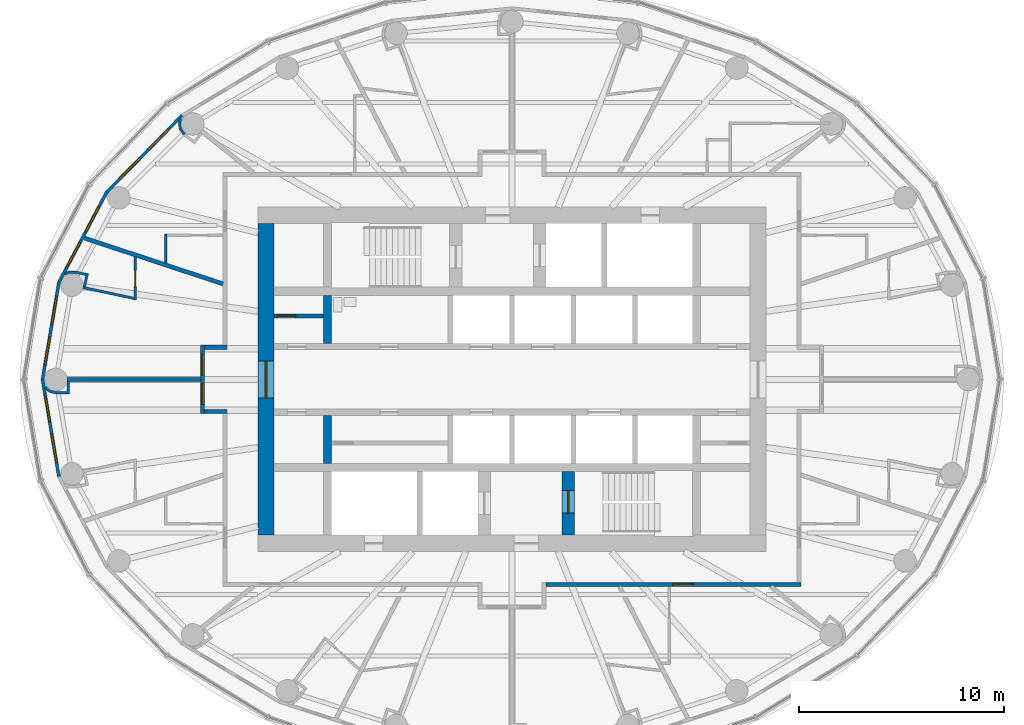
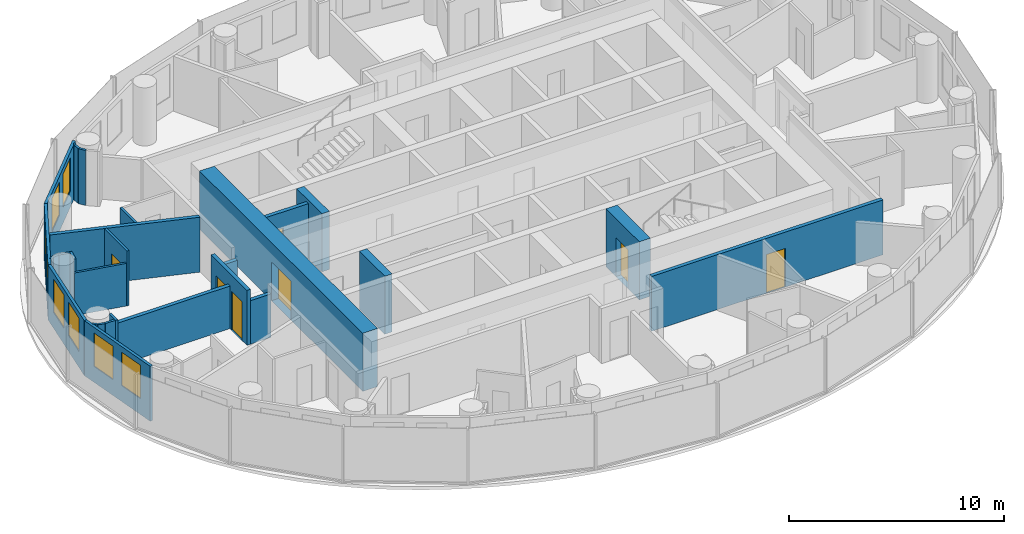
# One storey, part 8 of 16: 29 walls, 8 windows, 7 doors, 15 openings.
"""IFC4 building model written with IfcOpenShell, lengths in metres."""

from ifc_helpers import new_model, si_unit, direction, frame, frame_2d, origin, place, context, subcontext, project, spatial, rectangle, extrude, material, layer, layer_set, type_object, element, fill, save


model = new_model("IFC4")

# Units and contexts
model_context = context("Model", 3, precision=1e-05, world=origin(), true_north=direction((0.0, 1.0)))
body_context = subcontext(model_context, "Body", "Model", "MODEL_VIEW")
ifc_project = project(units=[si_unit("LENGTHUNIT", "METRE"), si_unit("AREAUNIT", "SQUARE_METRE"), si_unit("VOLUMEUNIT", "CUBIC_METRE"), si_unit("PLANEANGLEUNIT", "RADIAN"), si_unit("MASSUNIT", "GRAM", prefix="KILO")], contexts=[model_context])

# Site, building, storey
site_placement = place(None, origin())
site = spatial("IfcSite", under=ifc_project, at=site_placement, CompositionType="ELEMENT")
building_placement = place(site_placement, origin())
building = spatial("IfcBuilding", under=site, at=building_placement, Name="Hankou Lantern Tower", CompositionType="ELEMENT")
storey_placement = place(building_placement, frame((0.0, 0.0, 150.0)))
storey = spatial("IfcBuildingStorey", under=building, at=storey_placement, Name="L39", CompositionType="ELEMENT", Elevation=150.0)

# Wall, opening, door
ifc_material_1 = material(Name="Concrete C60", Category="concrete")
ifc_layer_1 = layer(ifc_material_1, 0.800048828125)
ifc_layer_set_1 = layer_set([ifc_layer_1], Name="Concrete C60")
wall_type_1 = type_object("IfcWallType", Name="CW2 CORE WALL 800", PredefinedType="SHEAR", material=ifc_layer_set_1)
wall_1_placement = place(storey_placement, frame((-12.0, 7.60009765625, 0.0), z_axis=(0.0, 0.0, 1.0), x_axis=(0.0, -1.0, 0.0)))
wall_1 = element("IfcWall", 1, at=wall_1_placement, inside=storey, type_object=wall_type_1, Name="Core wall west L39", PredefinedType="SHEAR", context=body_context, shape_type="SweptSolid", body=[
    extrude(rectangle(XDim=15.2001953125, YDim=0.800048828125, at=frame_2d((7.60009765625, 0.0))), origin(), (0.0, 0.0, 1.0), 3.300048828125),
])
opening_1_placement = place(wall_1_placement, frame((6.699951171875, 0.0, 0.0)))
opening_1 = element("IfcOpeningElement", 2, at=opening_1_placement, cuts=wall_1, Name="Opening D6", PredefinedType="OPENING", context=body_context, shape_type="SweptSolid", body=[
    extrude(rectangle(XDim=1.800048828125, YDim=2.199951171875, at=frame_2d((0.89990234375, 1.10009765625))), frame((0.0, 0.409912109375, 0.0), z_axis=(0.0, -1.0, 0.0), x_axis=(1.0, 0.0, 0.0)), (0.0, 0.0, 1.0), 0.820068359375),
])
ifc_material_2 = material(Name="Steel door leaf", Category="steel")
door_type_1 = type_object("IfcDoorType", Name="D6 LIFT LOBBY DOOR 1800X2200", OperationType="DOUBLE_DOOR_DOUBLE_SWING", PredefinedType="DOOR", material=ifc_material_2)
door_1_placement = place(opening_1_placement, origin())
door_1 = element("IfcDoor", 3, at=door_1_placement, inside=storey, type_object=door_type_1, Name="Lift lobby west door", OperationType="DOUBLE_DOOR_DOUBLE_SWING", OverallHeight=2.199951171875, OverallWidth=1.800048828125, PredefinedType="DOOR", context=body_context, shape_type="SweptSolid", body=[
    extrude(rectangle(XDim=1.800048828125, YDim=2.199951171875, at=frame_2d((0.89990234375, 1.10009765625))), frame((0.0, 0.02490234375, 0.0), z_axis=(0.0, -1.0, 0.0), x_axis=(1.0, 0.0, 0.0)), (0.0, 0.0, 1.0), 0.050048828125),
])
fill(opening_1, door_1)

# Walls
ifc_material_3 = material(Name="Concrete C60", Category="concrete")
ifc_layer_2 = layer(ifc_material_3, 0.39990234375)
ifc_layer_set_2 = layer_set([ifc_layer_2], Name="Concrete C60")
wall_type_2 = type_object("IfcWallType", Name="CW4 CORE CROSS WALL 400", PredefinedType="SHEAR", material=ifc_layer_set_2)
for number, where, z_axis, x_axis, name in (
    (4, (-9.0, 1.75, 0.0), (0.0, 0.0, 1.0), (0.0, 1.0, 0.0), "Core strip wall L39"),
    (5, (-9.0, -4.10009765625, 0.0), (0.0, 0.0, 1.0), (0.0, 1.0, 0.0), "Core strip wall L39"),
):
    element("IfcWall", number, at=place(storey_placement, frame(where, z_axis=z_axis, x_axis=x_axis)), inside=storey, type_object=wall_type_2, Name=name, PredefinedType="SHEAR", context=body_context, shape_type="SweptSolid", body=[
        extrude(rectangle(XDim=2.35009765625, YDim=0.39990234375, at=frame_2d((1.175048828125, 0.0))), origin(), (0.0, 0.0, 1.0), 3.300048828125),
    ])

# Wall, opening, door
ifc_material_4 = material(Name="Concrete C60", Category="concrete")
ifc_layer_3 = layer(ifc_material_4, 0.60009765625)
ifc_layer_set_3 = layer_set([ifc_layer_3], Name="Concrete C60")
wall_type_3 = type_object("IfcWallType", Name="CW6 STAIR AND SHAFT WALL 600", PredefinedType="SHEAR", material=ifc_layer_set_3)
wall_2_placement = place(storey_placement, frame((2.75, -7.60009765625, 0.0), z_axis=(0.0, 0.0, 1.0), x_axis=(0.0, 1.0, 0.0)))
wall_2 = element("IfcWall", 6, at=wall_2_placement, inside=storey, type_object=wall_type_3, Name="Stair wall L39", PredefinedType="SHEAR", context=body_context, shape_type="SweptSolid", body=[
    extrude(rectangle(XDim=3.10009765625, YDim=0.60009765625, at=frame_2d((1.550048828125, 0.0))), origin(), (0.0, 0.0, 1.0), 3.300048828125),
])
opening_2_placement = place(wall_2_placement, frame((1.074951171875, 0.0, 0.0)))
opening_2 = element("IfcOpeningElement", 7, at=opening_2_placement, cuts=wall_2, Name="Opening D4", PredefinedType="OPENING", context=body_context, shape_type="SweptSolid", body=[
    extrude(rectangle(XDim=1.10009765625, YDim=2.199951171875, at=frame_2d((0.550048828125, 1.10009765625))), frame((0.0, 0.31005859375, 0.0), z_axis=(0.0, -1.0, 0.0), x_axis=(1.0, 0.0, 0.0)), (0.0, 0.0, 1.0), 0.6201171875),
])
ifc_material_5 = material(Name="Steel door leaf", Category="steel")
door_type_2 = type_object("IfcDoorType", Name="D4 STAIR DOOR 1100X2200", OperationType="SINGLE_SWING_LEFT", PredefinedType="DOOR", material=ifc_material_5)
door_2_placement = place(opening_2_placement, origin())
door_2 = element("IfcDoor", 8, at=door_2_placement, inside=storey, type_object=door_type_2, Name="Stair B door", OperationType="SINGLE_SWING_RIGHT", OverallHeight=2.199951171875, OverallWidth=1.10009765625, PredefinedType="DOOR", context=body_context, shape_type="SweptSolid", body=[
    extrude(rectangle(XDim=1.10009765625, YDim=2.199951171875, at=frame_2d((0.550048828125, 1.10009765625))), frame((0.0, 0.02490234375, 0.0), z_axis=(0.0, -1.0, 0.0), x_axis=(1.0, 0.0, 0.0)), (0.0, 0.0, 1.0), 0.050048828125),
])
fill(opening_2, door_2)

# Wall, openings, windows
ifc_material_6 = material(Name="Aluminium spandrel panel on steel studs", Category="steel")
ifc_layer_4 = layer(ifc_material_6, 0.14990234375)
ifc_layer_set_4 = layer_set([ifc_layer_4], Name="Aluminium spandrel panel on steel studs")
wall_type_4 = type_object("IfcWallType", Name="EW1 INNER SKIN WALL 150", PredefinedType="ELEMENTEDWALL", material=ifc_layer_set_4)
wall_3_placement = place(storey_placement, frame((-16.0947265625, 12.875732421875, 0.0), z_axis=(0.0, 0.0, 1.0), x_axis=(-0.700727467776, -0.71342905457, 0.0)))
wall_3 = element("IfcWall", 9, at=wall_3_placement, inside=storey, type_object=wall_type_4, Name="Inner skin R10-R11 L39", PredefinedType="ELEMENTEDWALL", context=body_context, shape_type="SweptSolid", body=[
    extrude(rectangle(XDim=5.247314453125, YDim=0.14990234375, at=frame_2d((2.62353515625, 0.0))), origin(), (0.0, 0.0, 1.0), 3.1201171875),
])
opening_3_placement = place(wall_3_placement, frame((0.923583984375, 0.0, 0.89990234375)))
opening_3 = element("IfcOpeningElement", 10, at=opening_3_placement, cuts=wall_3, Name="Opening W3", PredefinedType="OPENING", context=body_context, shape_type="SweptSolid", body=[
    extrude(rectangle(XDim=1.39990234375, YDim=1.89990234375, at=frame_2d((0.699951171875, 0.949951171875))), frame((0.0, 0.0849609375, 0.0), z_axis=(0.0, -1.0, 0.0), x_axis=(1.0, 0.0, 0.0)), (0.0, 0.0, 1.0), 0.169921875),
])
opening_4_placement = place(wall_3_placement, frame((2.923583984375, 0.0, 0.89990234375)))
opening_4 = element("IfcOpeningElement", 11, at=opening_4_placement, cuts=wall_3, Name="Opening W3", PredefinedType="OPENING", context=body_context, shape_type="SweptSolid", body=[
    extrude(rectangle(XDim=1.39990234375, YDim=1.89990234375, at=frame_2d((0.699951171875, 0.949951171875))), frame((0.0, 0.0849609375, 0.0), z_axis=(0.0, -1.0, 0.0), x_axis=(1.0, 0.0, 0.0)), (0.0, 0.0, 1.0), 0.169921875),
])
ifc_material_7 = material(Name="Aluminium framed double glazed window", Category="aluminium")
window_type = type_object("IfcWindowType", Name="W3 GUEST ROOM WINDOW 1400X1900", PartitioningType="DOUBLE_PANEL_VERTICAL", PredefinedType="WINDOW", material=ifc_material_7)
window_1_placement = place(opening_3_placement, origin())
window_1 = element("IfcWindow", 12, at=window_1_placement, inside=storey, type_object=window_type, Name="Window R10.1 L39", OverallHeight=1.89990234375, OverallWidth=1.39990234375, PartitioningType="SINGLE_PANEL", PredefinedType="WINDOW", context=body_context, shape_type="SweptSolid", body=[
    extrude(rectangle(XDim=1.39990234375, YDim=1.89990234375, at=frame_2d((0.699951171875, 0.949951171875))), frame((0.0, 0.030029296875, 0.0), z_axis=(0.0, -1.0, 0.0), x_axis=(1.0, 0.0, 0.0)), (0.0, 0.0, 1.0), 0.06005859375),
])
fill(opening_3, window_1)
window_2_placement = place(opening_4_placement, origin())
window_2 = element("IfcWindow", 13, at=window_2_placement, inside=storey, type_object=window_type, Name="Window R10.2 L39", OverallHeight=1.89990234375, OverallWidth=1.39990234375, PartitioningType="SINGLE_PANEL", PredefinedType="WINDOW", context=body_context, shape_type="SweptSolid", body=[
    extrude(rectangle(XDim=1.39990234375, YDim=1.89990234375, at=frame_2d((0.699951171875, 0.949951171875))), frame((0.0, 0.030029296875, 0.0), z_axis=(0.0, -1.0, 0.0), x_axis=(1.0, 0.0, 0.0)), (0.0, 0.0, 1.0), 0.06005859375),
])
fill(opening_4, window_2)

wall_4_placement = place(storey_placement, frame((-19.771728515625, 9.132080078125, 0.0), z_axis=(0.0, 0.0, 1.0), x_axis=(-0.468428906714, -0.883501193748, 0.0)))
wall_4 = element("IfcWall", 14, at=wall_4_placement, inside=storey, type_object=wall_type_4, Name="Inner skin R11-R12 L39", PredefinedType="ELEMENTEDWALL", context=body_context, shape_type="SweptSolid", body=[
    extrude(rectangle(XDim=4.9736328125, YDim=0.14990234375, at=frame_2d((2.48681640625, 0.0))), origin(), (0.0, 0.0, 1.0), 3.1201171875),
])
opening_5_placement = place(wall_4_placement, frame((0.786865234375, 0.0, 0.89990234375)))
opening_5 = element("IfcOpeningElement", 15, at=opening_5_placement, cuts=wall_4, Name="Opening W3", PredefinedType="OPENING", context=body_context, shape_type="SweptSolid", body=[
    extrude(rectangle(XDim=1.39990234375, YDim=1.89990234375, at=frame_2d((0.699951171875, 0.949951171875))), frame((0.0, 0.0849609375, 0.0), z_axis=(0.0, -1.0, 0.0), x_axis=(1.0, 0.0, 0.0)), (0.0, 0.0, 1.0), 0.169921875),
])
opening_6_placement = place(wall_4_placement, frame((2.786865234375, 0.0, 0.89990234375)))
opening_6 = element("IfcOpeningElement", 16, at=opening_6_placement, cuts=wall_4, Name="Opening W3", PredefinedType="OPENING", context=body_context, shape_type="SweptSolid", body=[
    extrude(rectangle(XDim=1.39990234375, YDim=1.89990234375, at=frame_2d((0.699951171875, 0.949951171875))), frame((0.0, 0.0849609375, 0.0), z_axis=(0.0, -1.0, 0.0), x_axis=(1.0, 0.0, 0.0)), (0.0, 0.0, 1.0), 0.169921875),
])
window_3_placement = place(opening_5_placement, origin())
window_3 = element("IfcWindow", 17, at=window_3_placement, inside=storey, type_object=window_type, Name="Window R11.1 L39", OverallHeight=1.89990234375, OverallWidth=1.39990234375, PartitioningType="SINGLE_PANEL", PredefinedType="WINDOW", context=body_context, shape_type="SweptSolid", body=[
    extrude(rectangle(XDim=1.39990234375, YDim=1.89990234375, at=frame_2d((0.699951171875, 0.949951171875))), frame((0.0, 0.030029296875, 0.0), z_axis=(0.0, -1.0, 0.0), x_axis=(1.0, 0.0, 0.0)), (0.0, 0.0, 1.0), 0.06005859375),
])
fill(opening_5, window_3)
window_4_placement = place(opening_6_placement, origin())
window_4 = element("IfcWindow", 18, at=window_4_placement, inside=storey, type_object=window_type, Name="Window R11.2 L39", OverallHeight=1.89990234375, OverallWidth=1.39990234375, PartitioningType="SINGLE_PANEL", PredefinedType="WINDOW", context=body_context, shape_type="SweptSolid", body=[
    extrude(rectangle(XDim=1.39990234375, YDim=1.89990234375, at=frame_2d((0.699951171875, 0.949951171875))), frame((0.0, 0.030029296875, 0.0), z_axis=(0.0, -1.0, 0.0), x_axis=(1.0, 0.0, 0.0)), (0.0, 0.0, 1.0), 0.06005859375),
])
fill(opening_6, window_4)

wall_5_placement = place(storey_placement, frame((-22.1015625, 4.73779296875, 0.0), z_axis=(0.0, 0.0, 1.0), x_axis=(-0.166162111254, -0.986098449843, 0.0)))
wall_5 = element("IfcWall", 19, at=wall_5_placement, inside=storey, type_object=wall_type_4, Name="Inner skin R12-R13 L39", PredefinedType="ELEMENTEDWALL", context=body_context, shape_type="SweptSolid", body=[
    extrude(rectangle(XDim=4.8046875, YDim=0.14990234375, at=frame_2d((2.40234375, 0.0))), origin(), (0.0, 0.0, 1.0), 3.1201171875),
])
opening_7_placement = place(wall_5_placement, frame((0.7021484375, 0.0, 0.89990234375)))
opening_7 = element("IfcOpeningElement", 20, at=opening_7_placement, cuts=wall_5, Name="Opening W3", PredefinedType="OPENING", context=body_context, shape_type="SweptSolid", body=[
    extrude(rectangle(XDim=1.39990234375, YDim=1.89990234375, at=frame_2d((0.699951171875, 0.949951171875))), frame((0.0, 0.0849609375, 0.0), z_axis=(0.0, -1.0, 0.0), x_axis=(1.0, 0.0, 0.0)), (0.0, 0.0, 1.0), 0.169921875),
])
opening_8_placement = place(wall_5_placement, frame((2.7021484375, 0.0, 0.89990234375)))
opening_8 = element("IfcOpeningElement", 21, at=opening_8_placement, cuts=wall_5, Name="Opening W3", PredefinedType="OPENING", context=body_context, shape_type="SweptSolid", body=[
    extrude(rectangle(XDim=1.39990234375, YDim=1.89990234375, at=frame_2d((0.699951171875, 0.949951171875))), frame((0.0, 0.0849609375, 0.0), z_axis=(0.0, -1.0, 0.0), x_axis=(1.0, 0.0, 0.0)), (0.0, 0.0, 1.0), 0.169921875),
])
window_5_placement = place(opening_7_placement, origin())
window_5 = element("IfcWindow", 22, at=window_5_placement, inside=storey, type_object=window_type, Name="Window R12.1 L39", OverallHeight=1.89990234375, OverallWidth=1.39990234375, PartitioningType="SINGLE_PANEL", PredefinedType="WINDOW", context=body_context, shape_type="SweptSolid", body=[
    extrude(rectangle(XDim=1.39990234375, YDim=1.89990234375, at=frame_2d((0.699951171875, 0.949951171875))), frame((0.0, 0.030029296875, 0.0), z_axis=(0.0, -1.0, 0.0), x_axis=(1.0, 0.0, 0.0)), (0.0, 0.0, 1.0), 0.06005859375),
])
fill(opening_7, window_5)
window_6_placement = place(opening_8_placement, origin())
window_6 = element("IfcWindow", 23, at=window_6_placement, inside=storey, type_object=window_type, Name="Window R12.2 L39", OverallHeight=1.89990234375, OverallWidth=1.39990234375, PartitioningType="SINGLE_PANEL", PredefinedType="WINDOW", context=body_context, shape_type="SweptSolid", body=[
    extrude(rectangle(XDim=1.39990234375, YDim=1.89990234375, at=frame_2d((0.699951171875, 0.949951171875))), frame((0.0, 0.030029296875, 0.0), z_axis=(0.0, -1.0, 0.0), x_axis=(1.0, 0.0, 0.0)), (0.0, 0.0, 1.0), 0.06005859375),
])
fill(opening_8, window_6)

wall_6_placement = place(storey_placement, frame((-22.89990234375, 0.0, 0.0), z_axis=(0.0, 0.0, 1.0), x_axis=(0.166162111254, -0.986098449843, 0.0)))
wall_6 = element("IfcWall", 24, at=wall_6_placement, inside=storey, type_object=wall_type_4, Name="Inner skin R13-R14 L39", PredefinedType="ELEMENTEDWALL", context=body_context, shape_type="SweptSolid", body=[
    extrude(rectangle(XDim=4.8046875, YDim=0.14990234375, at=frame_2d((2.40234375, 0.0))), origin(), (0.0, 0.0, 1.0), 3.1201171875),
])
opening_9_placement = place(wall_6_placement, frame((0.7021484375, 0.0, 0.89990234375)))
opening_9 = element("IfcOpeningElement", 25, at=opening_9_placement, cuts=wall_6, Name="Opening W3", PredefinedType="OPENING", context=body_context, shape_type="SweptSolid", body=[
    extrude(rectangle(XDim=1.39990234375, YDim=1.89990234375, at=frame_2d((0.699951171875, 0.949951171875))), frame((0.0, 0.0849609375, 0.0), z_axis=(0.0, -1.0, 0.0), x_axis=(1.0, 0.0, 0.0)), (0.0, 0.0, 1.0), 0.169921875),
])
opening_10_placement = place(wall_6_placement, frame((2.7021484375, 0.0, 0.89990234375)))
opening_10 = element("IfcOpeningElement", 26, at=opening_10_placement, cuts=wall_6, Name="Opening W3", PredefinedType="OPENING", context=body_context, shape_type="SweptSolid", body=[
    extrude(rectangle(XDim=1.39990234375, YDim=1.89990234375, at=frame_2d((0.699951171875, 0.949951171875))), frame((0.0, 0.0849609375, 0.0), z_axis=(0.0, -1.0, 0.0), x_axis=(1.0, 0.0, 0.0)), (0.0, 0.0, 1.0), 0.169921875),
])
window_7_placement = place(opening_9_placement, origin())
window_7 = element("IfcWindow", 27, at=window_7_placement, inside=storey, type_object=window_type, Name="Window R13.1 L39", OverallHeight=1.89990234375, OverallWidth=1.39990234375, PartitioningType="SINGLE_PANEL", PredefinedType="WINDOW", context=body_context, shape_type="SweptSolid", body=[
    extrude(rectangle(XDim=1.39990234375, YDim=1.89990234375, at=frame_2d((0.699951171875, 0.949951171875))), frame((0.0, 0.030029296875, 0.0), z_axis=(0.0, -1.0, 0.0), x_axis=(1.0, 0.0, 0.0)), (0.0, 0.0, 1.0), 0.06005859375),
])
fill(opening_9, window_7)
window_8_placement = place(opening_10_placement, origin())
window_8 = element("IfcWindow", 28, at=window_8_placement, inside=storey, type_object=window_type, Name="Window R13.2 L39", OverallHeight=1.89990234375, OverallWidth=1.39990234375, PartitioningType="SINGLE_PANEL", PredefinedType="WINDOW", context=body_context, shape_type="SweptSolid", body=[
    extrude(rectangle(XDim=1.39990234375, YDim=1.89990234375, at=frame_2d((0.699951171875, 0.949951171875))), frame((0.0, 0.030029296875, 0.0), z_axis=(0.0, -1.0, 0.0), x_axis=(1.0, 0.0, 0.0)), (0.0, 0.0, 1.0), 0.06005859375),
])
fill(opening_10, window_8)

# Walls
ifc_material_8 = material(Name="Masonry lightweight concrete block", Category="masonry")
ifc_layer_5 = layer(ifc_material_8, 0.199951171875)
ifc_layer_set_5 = layer_set([ifc_layer_5], Name="Masonry lightweight concrete block")
wall_type_5 = type_object("IfcWallType", Name="IW1 GUEST ROOM PARTY WALL 200", PredefinedType="PARTITIONING", material=ifc_layer_set_5)
wall_7_placement = place(storey_placement, frame((-14.10009765625, 4.661376953125, 0.0), z_axis=(0.0, 0.0, 1.0), x_axis=(-0.949453216399, 0.313908569285, 0.0)))
element("IfcWall", 29, at=wall_7_placement, inside=storey, type_object=wall_type_5, Name="Party wall R11-R12", PredefinedType="PARTITIONING", context=body_context, shape_type="SweptSolid", body=[
    extrude(rectangle(XDim=7.108642578125, YDim=0.199951171875, at=frame_2d((3.55419921875, 0.0))), origin(), (0.0, 0.0, 1.0), 3.1201171875),
])
wall_8_placement = place(storey_placement, frame((-15.199951171875, 0.0, 0.0), z_axis=(0.0, 0.0, 1.0), x_axis=(-1.0, 0.0, 0.0)))
element("IfcWall", 30, at=wall_8_placement, inside=storey, type_object=wall_type_5, Name="Party wall R13", PredefinedType="PARTITIONING", context=body_context, shape_type="SweptSolid", body=[
    extrude(rectangle(XDim=6.5, YDim=0.199951171875, at=frame_2d((3.25, 0.0))), origin(), (0.0, 0.0, 1.0), 2.419921875),
])

# Wall, openings, doors
ifc_material_9 = material(Name="Masonry lightweight concrete block", Category="masonry")
ifc_layer_6 = layer(ifc_material_9, 0.199951171875)
ifc_layer_set_6 = layer_set([ifc_layer_6], Name="Masonry lightweight concrete block")
wall_type_6 = type_object("IfcWallType", Name="IW2 CORRIDOR WALL 200", PredefinedType="PARTITIONING", material=ifc_layer_set_6)
wall_9_placement = place(storey_placement, frame((-15.10009765625, 1.669921875, 0.0), z_axis=(0.0, 0.0, 1.0), x_axis=(0.0, -1.0, 0.0)))
wall_9 = element("IfcWall", 31, at=wall_9_placement, inside=storey, type_object=wall_type_6, Name="Corridor alcove wall 3907-3908 back", PredefinedType="PARTITIONING", context=body_context, shape_type="SweptSolid", body=[
    extrude(rectangle(XDim=3.33984375, YDim=0.199951171875, at=frame_2d((1.669921875, 0.0))), origin(), (0.0, 0.0, 1.0), 3.1201171875),
])
opening_11_placement = place(wall_9_placement, frame((0.449951171875, 0.0, 0.0)))
opening_11 = element("IfcOpeningElement", 32, at=opening_11_placement, cuts=wall_9, Name="Opening D1", PredefinedType="OPENING", context=body_context, shape_type="SweptSolid", body=[
    extrude(rectangle(XDim=1.0, YDim=2.199951171875, at=frame_2d((0.5, 1.10009765625))), frame((0.0, 0.10986328125, 0.0), z_axis=(0.0, -1.0, 0.0), x_axis=(1.0, 0.0, 0.0)), (0.0, 0.0, 1.0), 0.219970703125),
])
opening_12_placement = place(wall_9_placement, frame((1.889892578125, 0.0, 0.0)))
opening_12 = element("IfcOpeningElement", 33, at=opening_12_placement, cuts=wall_9, Name="Opening D1", PredefinedType="OPENING", context=body_context, shape_type="SweptSolid", body=[
    extrude(rectangle(XDim=1.0, YDim=2.199951171875, at=frame_2d((0.5, 1.10009765625))), frame((0.0, 0.10986328125, 0.0), z_axis=(0.0, -1.0, 0.0), x_axis=(1.0, 0.0, 0.0)), (0.0, 0.0, 1.0), 0.219970703125),
])
ifc_material_10 = material(Name="Steel door leaf", Category="steel")
door_type_3 = type_object("IfcDoorType", Name="D1 GUEST ROOM DOOR 1000X2200", OperationType="SINGLE_SWING_LEFT", PredefinedType="DOOR", material=ifc_material_10)
door_3_placement = place(opening_11_placement, origin())
door_3 = element("IfcDoor", 34, at=door_3_placement, inside=storey, type_object=door_type_3, Name="Guest room door 3907", OperationType="SINGLE_SWING_LEFT", OverallHeight=2.199951171875, OverallWidth=1.0, PredefinedType="DOOR", context=body_context, shape_type="SweptSolid", body=[
    extrude(rectangle(XDim=1.0, YDim=2.199951171875, at=frame_2d((0.5, 1.10009765625))), frame((0.0, 0.02490234375, 0.0), z_axis=(0.0, -1.0, 0.0), x_axis=(1.0, 0.0, 0.0)), (0.0, 0.0, 1.0), 0.050048828125),
])
fill(opening_11, door_3)
door_4_placement = place(opening_12_placement, origin())
door_4 = element("IfcDoor", 35, at=door_4_placement, inside=storey, type_object=door_type_3, Name="Guest room door 3908", OperationType="SINGLE_SWING_RIGHT", OverallHeight=2.199951171875, OverallWidth=1.0, PredefinedType="DOOR", context=body_context, shape_type="SweptSolid", body=[
    extrude(rectangle(XDim=1.0, YDim=2.199951171875, at=frame_2d((0.5, 1.10009765625))), frame((0.0, 0.02490234375, 0.0), z_axis=(0.0, -1.0, 0.0), x_axis=(1.0, 0.0, 0.0)), (0.0, 0.0, 1.0), 0.050048828125),
])
fill(opening_12, door_4)

# Walls
for number, where, z_axis, x_axis, name in (
    (36, (-13.89990234375, 1.570068359375, 0.0), (0.0, 0.0, 1.0), (-1.0, 0.0, 0.0), "Corridor alcove wall 3907-3908 left"),
    (37, (-13.89990234375, -1.570068359375, 0.0), (0.0, 0.0, 1.0), (-1.0, 0.0, 0.0), "Corridor alcove wall 3907-3908 right"),
):
    element("IfcWall", number, at=place(storey_placement, frame(where, z_axis=z_axis, x_axis=x_axis)), inside=storey, type_object=wall_type_6, Name=name, PredefinedType="PARTITIONING", context=body_context, shape_type="SweptSolid", body=[
        extrude(rectangle(XDim=1.10009765625, YDim=0.199951171875, at=frame_2d((0.550048828125, 0.0))), origin(), (0.0, 0.0, 1.0), 2.469970703125),
    ])

# Wall, opening, door
wall_10_placement = place(storey_placement, frame((14.10009765625, -10.0, 0.0), z_axis=(0.0, 0.0, 1.0), x_axis=(-1.0, 0.0, 0.0)))
wall_10 = element("IfcWall", 38, at=wall_10_placement, inside=storey, type_object=wall_type_6, Name="Corridor wall south", PredefinedType="PARTITIONING", context=body_context, shape_type="SweptSolid", body=[
    extrude(rectangle(XDim=12.43017578125, YDim=0.199951171875, at=frame_2d((6.215087890625, 0.0))), origin(), (0.0, 0.0, 1.0), 3.1201171875),
])
opening_13_placement = place(wall_10_placement, frame((5.25, 0.0, 0.0)))
opening_13 = element("IfcOpeningElement", 39, at=opening_13_placement, cuts=wall_10, Name="Opening D1", PredefinedType="OPENING", context=body_context, shape_type="SweptSolid", body=[
    extrude(rectangle(XDim=1.0, YDim=2.199951171875, at=frame_2d((0.5, 1.10009765625))), frame((0.0, 0.10986328125, 0.0), z_axis=(0.0, -1.0, 0.0), x_axis=(1.0, 0.0, 0.0)), (0.0, 0.0, 1.0), 0.219970703125),
])
door_5_placement = place(opening_13_placement, origin())
door_5 = element("IfcDoor", 40, at=door_5_placement, inside=storey, type_object=door_type_3, Name="Guest room door 3913", OperationType="SINGLE_SWING_RIGHT", OverallHeight=2.199951171875, OverallWidth=1.0, PredefinedType="DOOR", context=body_context, shape_type="SweptSolid", body=[
    extrude(rectangle(XDim=1.0, YDim=2.199951171875, at=frame_2d((0.5, 1.10009765625))), frame((0.0, 0.02490234375, 0.0), z_axis=(0.0, -1.0, 0.0), x_axis=(1.0, 0.0, 0.0)), (0.0, 0.0, 1.0), 0.050048828125),
])
fill(opening_13, door_5)

# Wall
ifc_material_11 = material(Name="Masonry lightweight concrete block", Category="masonry")
ifc_layer_7 = layer(ifc_material_11, 0.1201171875)
ifc_layer_set_7 = layer_set([ifc_layer_7], Name="Masonry lightweight concrete block")
wall_type_7 = type_object("IfcWallType", Name="IW3 BATHROOM WALL 120", PredefinedType="PARTITIONING", material=ifc_layer_set_7)
wall_11_placement = place(storey_placement, frame((-16.89990234375, 5.687255859375, 0.0), z_axis=(0.0, 0.0, 1.0), x_axis=(0.0, 1.0, 0.0)))
element("IfcWall", 41, at=wall_11_placement, inside=storey, type_object=wall_type_7, Name="Box wall 3906 1", PredefinedType="PARTITIONING", context=body_context, shape_type="SweptSolid", body=[
    extrude(rectangle(XDim=1.414306640625, YDim=0.1201171875, at=frame_2d((0.70703125, 0.0))), origin(), (0.0, 0.0, 1.0), 3.1201171875),
])

# Wall, opening, door
wall_12_placement = place(storey_placement, frame((-18.380859375, 5.971435546875, 0.0), z_axis=(0.0, 0.0, 1.0), x_axis=(-0.000934142516, -0.999999563689, 0.0)))
wall_12 = element("IfcWall", 42, at=wall_12_placement, inside=storey, type_object=wall_type_7, Name="Box wall 3907 1", PredefinedType="PARTITIONING", context=body_context, shape_type="SweptSolid", body=[
    extrude(rectangle(XDim=2.0908203125, YDim=0.1201171875, at=frame_2d((1.04541015625, 0.0))), origin(), (0.0, 0.0, 1.0), 3.1201171875),
])
opening_14_placement = place(wall_12_placement, frame((0.6455078125, 0.0, 0.0)))
opening_14 = element("IfcOpeningElement", 43, at=opening_14_placement, cuts=wall_12, Name="Opening D3", PredefinedType="OPENING", context=body_context, shape_type="SweptSolid", body=[
    extrude(rectangle(XDim=0.800048828125, YDim=2.10009765625, at=frame_2d((0.39990234375, 1.050048828125))), frame((0.0, 0.070068359375, 0.0), z_axis=(0.0, -1.0, 0.0), x_axis=(1.0, 0.0, 0.0)), (0.0, 0.0, 1.0), 0.14013671875),
])
ifc_material_12 = material(Name="Timber door leaf", Category="wood")
door_type_4 = type_object("IfcDoorType", Name="D3 BATHROOM DOOR 800X2100", OperationType="SINGLE_SWING_LEFT", PredefinedType="DOOR", material=ifc_material_12)
door_6_placement = place(opening_14_placement, origin())
door_6 = element("IfcDoor", 44, at=door_6_placement, inside=storey, type_object=door_type_4, Name="En-suite bathroom 3907 door", OperationType="SINGLE_SWING_LEFT", OverallHeight=2.10009765625, OverallWidth=0.800048828125, PredefinedType="DOOR", context=body_context, shape_type="SweptSolid", body=[
    extrude(rectangle(XDim=0.800048828125, YDim=2.10009765625, at=frame_2d((0.39990234375, 1.050048828125))), frame((0.0, 0.02490234375, 0.0), z_axis=(0.0, -1.0, 0.0), x_axis=(1.0, 0.0, 0.0)), (0.0, 0.0, 1.0), 0.050048828125),
])
fill(opening_14, door_6)

# Walls
wall_13_placement = place(storey_placement, frame((-18.44140625, 3.953125, 0.0), z_axis=(0.0, 0.0, 1.0), x_axis=(-0.977801007461, 0.209535652833, 0.0)))
element("IfcWall", 45, at=wall_13_placement, inside=storey, type_object=wall_type_7, Name="Box wall 3907 2", PredefinedType="PARTITIONING", context=body_context, shape_type="SweptSolid", body=[
    extrude(rectangle(XDim=2.5400390625, YDim=0.1201171875, at=frame_2d((1.27001953125, 0.0))), origin(), (0.0, 0.0, 1.0), 2.419921875),
])
wall_14_placement = place(storey_placement, frame((-20.853759765625, 4.531494140625, 0.0), z_axis=(0.0, 0.0, 1.0), x_axis=(0.209631346779, 0.977780496046, 0.0)))
element("IfcWall", 46, at=wall_14_placement, inside=storey, type_object=wall_type_7, Name="Column casing 3907 return", PredefinedType="PARTITIONING", context=body_context, shape_type="SweptSolid", body=[
    extrude(rectangle(XDim=0.652099609375, YDim=0.1201171875, at=frame_2d((0.326171875, 0.0))), origin(), (0.0, 0.0, 1.0), 3.1201171875),
])
wall_15_placement = place(storey_placement, frame((-20.788330078125, 5.123291015625, 0.0), z_axis=(0.0, 0.0, 1.0), x_axis=(-0.977789415726, 0.209589738521, 0.0)))
element("IfcWall", 47, at=wall_15_placement, inside=storey, type_object=wall_type_7, Name="Column casing 3907", PredefinedType="PARTITIONING", context=body_context, shape_type="SweptSolid", body=[
    extrude(rectangle(XDim=0.5498046875, YDim=0.1201171875, at=frame_2d((0.27490234375, 0.0))), origin(), (0.0, 0.0, 1.0), 3.1201171875),
])
wall_16_placement = place(storey_placement, frame((-21.325927734375, 5.238525390625, 0.0), z_axis=(0.0, 0.0, 1.0), x_axis=(-0.998719689441, -0.050586380797, 0.0)))
element("IfcWall", 48, at=wall_16_placement, inside=storey, type_object=wall_type_7, Name="Column casing 3907", PredefinedType="PARTITIONING", context=body_context, shape_type="SweptSolid", body=[
    extrude(rectangle(XDim=0.337890625, YDim=0.1201171875, at=frame_2d((0.1689453125, 0.0))), origin(), (0.0, 0.0, 1.0), 3.1201171875),
])
wall_17_placement = place(storey_placement, frame((-21.663330078125, 5.221435546875, 0.0), z_axis=(0.0, 0.0, 1.0), x_axis=(-0.839279022252, -0.543700949795, 0.0)))
element("IfcWall", 49, at=wall_17_placement, inside=storey, type_object=wall_type_7, Name="Column casing 3907", PredefinedType="PARTITIONING", context=body_context, shape_type="SweptSolid", body=[
    extrude(rectangle(XDim=0.18017578125, YDim=0.1201171875, at=frame_2d((0.090087890625, 0.0))), origin(), (0.0, 0.0, 1.0), 3.1201171875),
])
ifc_material_13 = material(Name="Masonry lightweight concrete block", Category="masonry")
ifc_layer_8 = layer(ifc_material_13, 0.1201171875)
ifc_layer_set_8 = layer_set([ifc_layer_8], Name="Masonry lightweight concrete block")
wall_type_8 = type_object("IfcWallType", Name="IW4 PARTITION 120", PredefinedType="PARTITIONING", material=ifc_layer_set_8)
wall_18_placement = place(storey_placement, frame((-15.983642578125, 11.95166015625, 0.0), z_axis=(0.0, 0.0, 1.0), x_axis=(-0.592335221171, 0.805691619517, 0.0)))
element("IfcWall", 50, at=wall_18_placement, inside=storey, type_object=wall_type_8, Name="Column casing R10", PredefinedType="PARTITIONING", context=body_context, shape_type="SweptSolid", body=[
    extrude(rectangle(XDim=0.337646484375, YDim=0.1201171875, at=frame_2d((0.1689453125, 0.0))), origin(), (0.0, 0.0, 1.0), 3.1201171875),
])
wall_19_placement = place(storey_placement, frame((-16.18359375, 12.2236328125, 0.0), z_axis=(0.0, 0.0, 1.0), x_axis=(-0.110669692975, 0.993857242795, 0.0)))
element("IfcWall", 51, at=wall_19_placement, inside=storey, type_object=wall_type_8, Name="Column casing R10", PredefinedType="PARTITIONING", context=body_context, shape_type="SweptSolid", body=[
    extrude(rectangle(XDim=0.33740234375, YDim=0.1201171875, at=frame_2d((0.168701171875, 0.0))), origin(), (0.0, 0.0, 1.0), 3.1201171875),
])
wall_20_placement = place(storey_placement, frame((-16.220947265625, 12.55908203125, 0.0), z_axis=(0.0, 0.0, 1.0), x_axis=(0.401064416249, 0.916049853457, 0.0)))
element("IfcWall", 52, at=wall_20_placement, inside=storey, type_object=wall_type_8, Name="Column casing R10", PredefinedType="PARTITIONING", context=body_context, shape_type="SweptSolid", body=[
    extrude(rectangle(XDim=0.156494140625, YDim=0.1201171875, at=frame_2d((0.078125, 0.0))), origin(), (0.0, 0.0, 1.0), 3.1201171875),
])
wall_21_placement = place(storey_placement, frame((-21.639892578125, -0.10009765625, 0.0), z_axis=(0.0, 0.0, 1.0), x_axis=(0.0, -1.0, 0.0)))
element("IfcWall", 53, at=wall_21_placement, inside=storey, type_object=wall_type_8, Name="Column casing R13 return", PredefinedType="PARTITIONING", context=body_context, shape_type="SweptSolid", body=[
    extrude(rectangle(XDim=0.612060546875, YDim=0.1201171875, at=frame_2d((0.30615234375, 0.0))), origin(), (0.0, 0.0, 1.0), 3.1201171875),
])
wall_22_placement = place(storey_placement, frame((-21.699951171875, -0.65234375, 0.0), z_axis=(0.0, 0.0, 1.0), x_axis=(-1.0, 0.0, 0.0)))
element("IfcWall", 54, at=wall_22_placement, inside=storey, type_object=wall_type_8, Name="Column casing R13", PredefinedType="PARTITIONING", context=body_context, shape_type="SweptSolid", body=[
    extrude(rectangle(XDim=0.550048828125, YDim=0.1201171875, at=frame_2d((0.27490234375, 0.0))), origin(), (0.0, 0.0, 1.0), 3.1201171875),
])
wall_23_placement = place(storey_placement, frame((-22.25, -0.65234375, 0.0), z_axis=(0.0, 0.0, 1.0), x_axis=(-0.965922233104, 0.258832454679, 0.0)))
element("IfcWall", 55, at=wall_23_placement, inside=storey, type_object=wall_type_8, Name="Column casing R13", PredefinedType="PARTITIONING", context=body_context, shape_type="SweptSolid", body=[
    extrude(rectangle(XDim=0.337646484375, YDim=0.1201171875, at=frame_2d((0.1689453125, 0.0))), origin(), (0.0, 0.0, 1.0), 3.1201171875),
])
wall_24_placement = place(storey_placement, frame((-22.576171875, -0.56494140625, 0.0), z_axis=(0.0, 0.0, 1.0), x_axis=(-0.706639272724, 0.707573980757, 0.0)))
element("IfcWall", 56, at=wall_24_placement, inside=storey, type_object=wall_type_8, Name="Column casing R13", PredefinedType="PARTITIONING", context=body_context, shape_type="SweptSolid", body=[
    extrude(rectangle(XDim=0.26123046875, YDim=0.1201171875, at=frame_2d((0.130615234375, 0.0))), origin(), (0.0, 0.0, 1.0), 3.1201171875),
])

# Wall, opening, door
ifc_material_14 = material(Name="Masonry lightweight concrete block", Category="masonry")
ifc_layer_9 = layer(ifc_material_14, 0.199951171875)
ifc_layer_set_9 = layer_set([ifc_layer_9], Name="Masonry lightweight concrete block")
wall_type_9 = type_object("IfcWallType", Name="IW8 PARTITION 200", PredefinedType="PARTITIONING", material=ifc_layer_set_9)
wall_25_placement = place(storey_placement, frame((-11.60009765625, 3.10009765625, 0.0), z_axis=(0.0, 0.0, 1.0), x_axis=(1.0, 0.0, 0.0)))
wall_25 = element("IfcWall", 57, at=wall_25_placement, inside=storey, type_object=wall_type_9, Name="Partition guest pantry and ice room", PredefinedType="PARTITIONING", context=body_context, shape_type="SweptSolid", body=[
    extrude(rectangle(XDim=2.400146484375, YDim=0.199951171875, at=frame_2d((1.2001953125, 0.0))), origin(), (0.0, 0.0, 1.0), 3.1201171875),
])
opening_15_placement = place(wall_25_placement, frame((0.14990234375, 0.0, 0.0)))
opening_15 = element("IfcOpeningElement", 58, at=opening_15_placement, cuts=wall_25, Name="Opening D12", PredefinedType="OPENING", context=body_context, shape_type="SweptSolid", body=[
    extrude(rectangle(XDim=0.89990234375, YDim=2.199951171875, at=frame_2d((0.449951171875, 1.10009765625))), frame((0.0, 0.10986328125, 0.0), z_axis=(0.0, -1.0, 0.0), x_axis=(1.0, 0.0, 0.0)), (0.0, 0.0, 1.0), 0.219970703125),
])
ifc_material_15 = material(Name="Steel door leaf", Category="steel")
door_type_5 = type_object("IfcDoorType", Name="D12 STORE DOOR 900X2200", OperationType="SINGLE_SWING_LEFT", PredefinedType="DOOR", material=ifc_material_15)
door_7_placement = place(opening_15_placement, origin())
door_7 = element("IfcDoor", 59, at=door_7_placement, inside=storey, type_object=door_type_5, Name="Ice machine cupboard door", OperationType="SINGLE_SWING_LEFT", OverallHeight=2.199951171875, OverallWidth=0.89990234375, PredefinedType="DOOR", context=body_context, shape_type="SweptSolid", body=[
    extrude(rectangle(XDim=0.89990234375, YDim=2.199951171875, at=frame_2d((0.449951171875, 1.10009765625))), frame((0.0, 0.02490234375, 0.0), z_axis=(0.0, -1.0, 0.0), x_axis=(1.0, 0.0, 0.0)), (0.0, 0.0, 1.0), 0.050048828125),
])
fill(opening_15, door_7)

save(model, "model.ifc")
